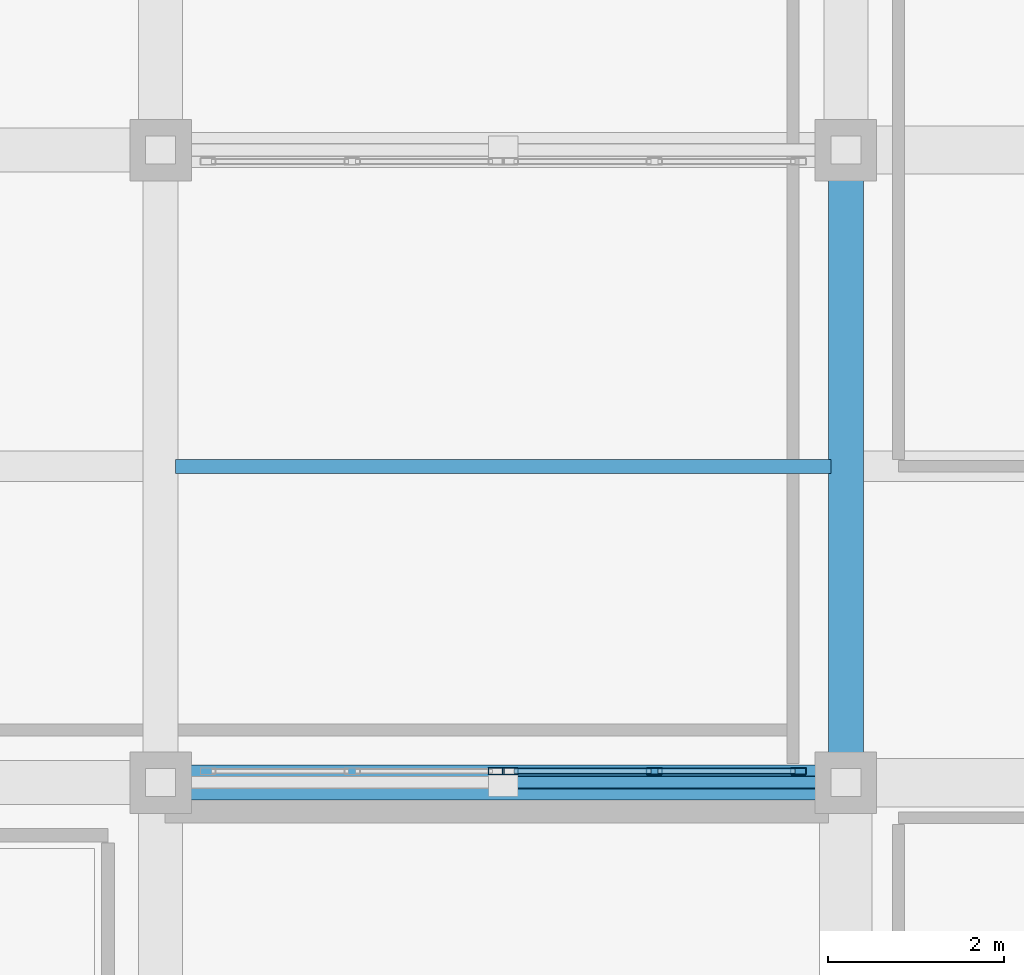
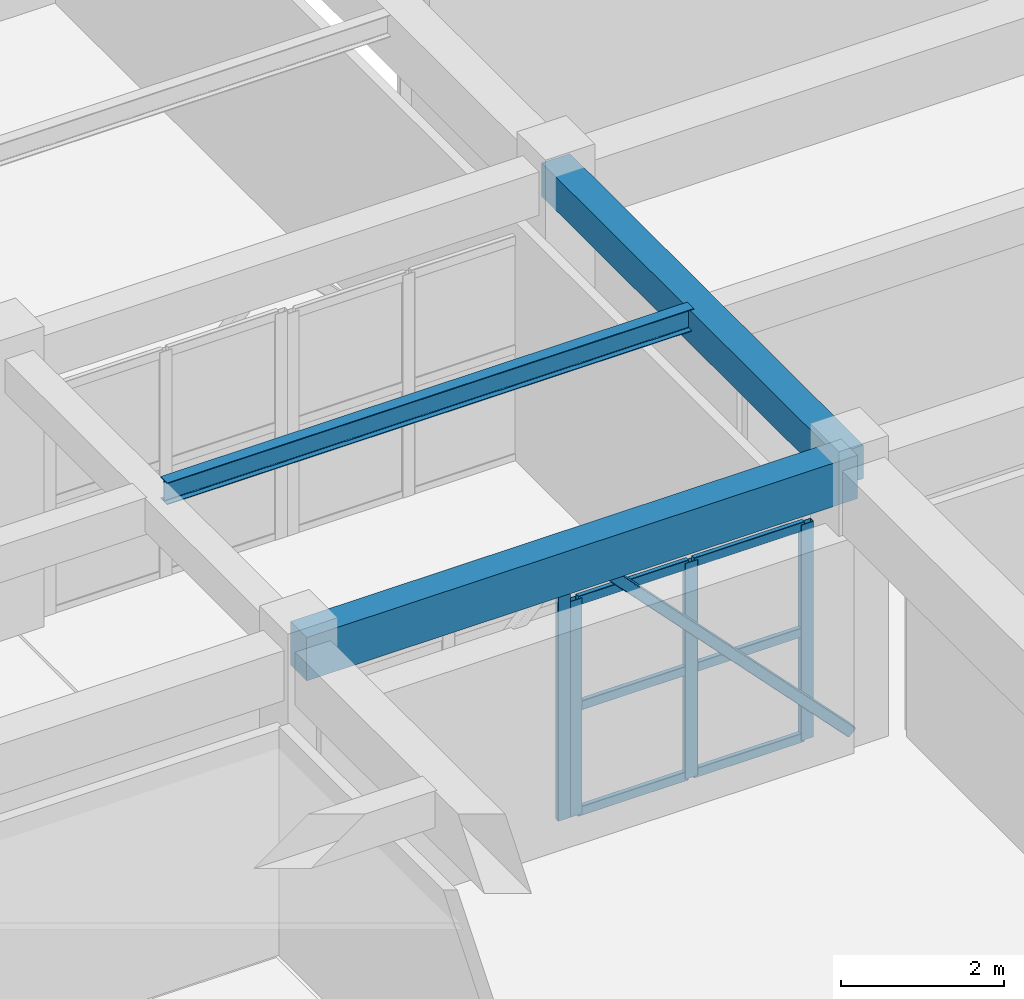
# One storey, part 25 of 92: 11 members, 3 beams, 2 elements without a shape of their own.
"""IFC4 building model written with IfcOpenShell, lengths in metres."""

from ifc_helpers import new_model, si_unit, direction, frame, origin, origin_2d, place, context, subcontext, project, spatial, rectangle, hollow_rectangle, i_section, extrude, material, layer, layer_set, material_profile, profile_set, type_object, element, aggregate, save


model = new_model("IFC4")

# Units and contexts
model_context = context("Model", 3, precision=1e-05, world=origin(), true_north=direction((0.0, 1.0)))
body_context = subcontext(model_context, "Body", "Model", "MODEL_VIEW")
ifc_project = project(units=[si_unit("LENGTHUNIT", "METRE"), si_unit("AREAUNIT", "SQUARE_METRE"), si_unit("VOLUMEUNIT", "CUBIC_METRE"), si_unit("PLANEANGLEUNIT", "RADIAN"), si_unit("MASSUNIT", "GRAM", prefix="KILO")], contexts=[model_context])

# Site, building, storey
site_placement = place(None, origin())
site = spatial("IfcSite", under=ifc_project, at=site_placement, CompositionType="ELEMENT")
building_placement = place(site_placement, origin())
building = spatial("IfcBuilding", under=site, at=building_placement, Name="Tarnavel Promenade Courthouse", CompositionType="ELEMENT")
storey_placement = place(building_placement, frame((0.0, 0.0, 5.39990234375)))
storey = spatial("IfcBuildingStorey", under=building, at=storey_placement, Name="L02", CompositionType="ELEMENT", Elevation=5.39990234375)

# Beams
ifc_material_1 = material(Name="Concrete C40/50", Category="concrete")
ifc_material_profile_1 = material_profile(ifc_material_1, rectangle(XDim=0.39990234375, YDim=0.5, at=origin_2d()), Name="RC 400x500")
ifc_profile_set_1 = profile_set([ifc_material_profile_1], Name="Concrete C40/50")
beam_type_1 = type_object("IfcBeamType", Name="Concrete C40/50 BM-RC-400x500 (RC 400x500)", PredefinedType="BEAM", material=ifc_profile_set_1)
beam_1_placement = place(storey_placement, frame((46.199951171875, 67.199951171875, 3.945068359375), z_axis=(0.0, 1.0, 0.0), x_axis=(-1.0, 0.0, 0.0)))
element("IfcBeam", 1, at=beam_1_placement, inside=storey, type_object=beam_type_1, Name="L02 Transverse Girder 1270", PredefinedType="BEAM", context=body_context, shape_type="SweptSolid", body=[
    extrude(rectangle(XDim=0.39990234375, YDim=0.5, at=origin_2d()), origin(), (0.0, 0.0, 1.0), 7.199951171875),
])
ifc_material_profile_2 = material_profile(ifc_material_1, rectangle(XDim=0.39990234375, YDim=0.64990234375, at=origin_2d()), Name="RC 400x650")
ifc_profile_set_2 = profile_set([ifc_material_profile_2], Name="Concrete C40/50")
beam_type_2 = type_object("IfcBeamType", Name="Concrete C40/50 BM-RC-400x650 (RC 400x650)", PredefinedType="BEAM", material=ifc_profile_set_2)
beam_2_placement = place(storey_placement, frame((38.39990234375, 67.199951171875, 3.91015625), z_axis=(1.0, 0.0, 0.0), x_axis=(0.0, 1.0, 0.0)))
element("IfcBeam", 2, at=beam_2_placement, inside=storey, type_object=beam_type_2, Name="L02 Primary Longitudinal Beam 1131", PredefinedType="BEAM", context=body_context, shape_type="SweptSolid", body=[
    extrude(rectangle(XDim=0.39990234375, YDim=0.64990234375, at=origin_2d()), origin(), (0.0, 0.0, 1.0), 7.800048828125),
])
ifc_material_2 = material(Name="Steel S355J2", Category="steel")
ifc_material_profile_3 = material_profile(ifc_material_2, i_section(OverallWidth=0.159912109375, OverallDepth=0.330078125, WebThickness=0.007568359375, FlangeThickness=0.011474609375, FilletRadius=0.01806640625, at=origin_2d()), Name="IPE 330")
ifc_profile_set_3 = profile_set([ifc_material_profile_3], Name="Steel S355J2")
beam_type_3 = type_object("IfcBeamType", Name="Steel S355J2 BM-ST-IPE330 (IPE 330)", PredefinedType="JOIST", material=ifc_profile_set_3)
beam_3_placement = place(storey_placement, frame((38.570068359375, 70.800048828125, 4.070068359375), z_axis=(1.0, 0.0, 0.0), x_axis=(0.0, 1.0, 0.0)))
element("IfcBeam", 3, at=beam_3_placement, inside=storey, type_object=beam_type_3, Name="L02 Secondary Floor Rib 1394", PredefinedType="JOIST", context=body_context, shape_type="SweptSolid", body=[
    extrude(i_section(OverallWidth=0.159912109375, OverallDepth=0.330078125, WebThickness=0.007568359375, FlangeThickness=0.011474609375, FilletRadius=0.01806640625, at=origin_2d()), origin(), (0.0, 0.0, 1.0), 7.4599609375),
])

# Member
ifc_material_profile_4 = material_profile(ifc_material_2, hollow_rectangle(XDim=0.14990234375, YDim=0.14990234375, WallThickness=0.010009765625, InnerFilletRadius=0.010009765625, OuterFilletRadius=0.02001953125, at=origin_2d()), Name="SHS 150x150x10")
ifc_profile_set_4 = profile_set([ifc_material_profile_4], Name="Steel S355J2")
member_type_1 = type_object("IfcMemberType", Name="Steel S355J2 MEM-BR-SHS150 (SHS 150x150x10)", PredefinedType="BRACE", material=ifc_profile_set_4)
member_1_placement = place(storey_placement, frame((42.300048828125, 67.199951171875, 4.06005859375), z_axis=(0.692739425183, 0.0, -0.721187970502), x_axis=(0.0, 1.0, 0.0)))
element("IfcMember", 4, at=member_1_placement, inside=storey, type_object=member_type_1, Name="L02 Link Bridge BRW Truss Diagonal 2", PredefinedType="BRACE", context=body_context, shape_type="SweptSolid", body=[
    extrude(hollow_rectangle(XDim=0.14990234375, YDim=0.14990234375, WallThickness=0.010009765625, InnerFilletRadius=0.010009765625, OuterFilletRadius=0.02001953125, at=origin_2d()), origin(), (0.0, 0.0, 1.0), 5.629638671875),
])

# Curtain wall, member
ifc_material_3 = material(Name="Thermally Broken Anodised Aluminium Curtain Wall System", Category="aluminium")
ifc_layer = layer(ifc_material_3, 0.18505859375)
ifc_layer_set = layer_set([ifc_layer], Name="Thermally Broken Anodised Aluminium Curtain Wall System")
curtain_wall_type = type_object("IfcCurtainWallType", Name="Thermally Broken Aluminium Triple-Glazed Curtain Wall CW-BRG", PredefinedType="NOTDEFINED", material=ifc_layer_set)
curtain_wall_1_placement = place(storey_placement, origin())
curtain_wall_1 = element("IfcCurtainWall", 5, at=curtain_wall_1_placement, inside=storey, type_object=curtain_wall_type, Name="L02 West Bridge Curtain Wall A 150", PredefinedType="NOTDEFINED")
ifc_material_4 = material(Name="Thermally Broken Anodised Aluminium Frame", Category="aluminium")
ifc_material_profile_5 = material_profile(ifc_material_4, hollow_rectangle(XDim=0.080078125, YDim=0.179931640625, WallThickness=0.0048828125, InnerFilletRadius=0.0048828125, OuterFilletRadius=0.010009765625, at=origin_2d()), Name="CWM 180x80x5")
ifc_profile_set_5 = profile_set([ifc_material_profile_5], Name="Thermally Broken Anodised Aluminium Frame")
member_type_2 = type_object("IfcMemberType", Name="Thermally Broken Anodised Aluminium CWM-155 (CWM 180x80x5)", PredefinedType="MULLION", material=ifc_profile_set_5)
member_2_placement = place(storey_placement, frame((42.219970703125, 67.330078125, 0.0), z_axis=(0.0, 0.0, 1.0), x_axis=(0.0, 1.0, 0.0)))
member_2 = element("IfcMember", 6, at=member_2_placement, type_object=member_type_2, Name="CW-05 mullion 3", PredefinedType="MULLION", context=body_context, shape_type="SweptSolid", body=[
    extrude(hollow_rectangle(XDim=0.080078125, YDim=0.179931640625, WallThickness=0.0048828125, InnerFilletRadius=0.0048828125, OuterFilletRadius=0.010009765625, at=origin_2d()), origin(), (0.0, 0.0, 1.0), 3.380126953125),
])
aggregate(curtain_wall_1, [member_2])

# Curtain wall, members
curtain_wall_2_placement = place(storey_placement, origin())
curtain_wall_2 = element("IfcCurtainWall", 7, at=curtain_wall_2_placement, inside=storey, type_object=curtain_wall_type, Name="L02 West Bridge Curtain Wall B 151", PredefinedType="NOTDEFINED")
member_3_placement = place(storey_placement, frame((42.3798828125, 67.330078125, 0.0), z_axis=(0.0, 0.0, 1.0), x_axis=(0.0, 1.0, 0.0)))
member_3 = element("IfcMember", 8, at=member_3_placement, type_object=member_type_2, Name="CW-05 mullion 1", PredefinedType="MULLION", context=body_context, shape_type="SweptSolid", body=[
    extrude(hollow_rectangle(XDim=0.080078125, YDim=0.179931640625, WallThickness=0.0048828125, InnerFilletRadius=0.0048828125, OuterFilletRadius=0.010009765625, at=origin_2d()), origin(), (0.0, 0.0, 1.0), 3.22998046875),
])
member_4_placement = place(storey_placement, frame((44.02001953125, 67.330078125, 0.0), z_axis=(0.0, 0.0, 1.0), x_axis=(0.0, 1.0, 0.0)))
member_4 = element("IfcMember", 9, at=member_4_placement, type_object=member_type_2, Name="CW-05 mullion 2", PredefinedType="MULLION", context=body_context, shape_type="SweptSolid", body=[
    extrude(hollow_rectangle(XDim=0.080078125, YDim=0.179931640625, WallThickness=0.0048828125, InnerFilletRadius=0.0048828125, OuterFilletRadius=0.010009765625, at=origin_2d()), origin(), (0.0, 0.0, 1.0), 3.22998046875),
])
member_5_placement = place(storey_placement, frame((45.659912109375, 67.330078125, 0.0), z_axis=(0.0, 0.0, 1.0), x_axis=(0.0, 1.0, 0.0)))
member_5 = element("IfcMember", 10, at=member_5_placement, type_object=member_type_2, Name="CW-05 mullion 3", PredefinedType="MULLION", context=body_context, shape_type="SweptSolid", body=[
    extrude(hollow_rectangle(XDim=0.080078125, YDim=0.179931640625, WallThickness=0.0048828125, InnerFilletRadius=0.0048828125, OuterFilletRadius=0.010009765625, at=origin_2d()), origin(), (0.0, 0.0, 1.0), 3.22998046875),
])
ifc_material_profile_6 = material_profile(ifc_material_4, hollow_rectangle(XDim=0.070068359375, YDim=0.139892578125, WallThickness=0.0048828125, InnerFilletRadius=0.0048828125, OuterFilletRadius=0.010009765625, at=origin_2d()), Name="CWT 140x70x5")
ifc_profile_set_6 = profile_set([ifc_material_profile_6], Name="Thermally Broken Anodised Aluminium Frame")
member_type_3 = type_object("IfcMemberType", Name="Thermally Broken Anodised Aluminium CWT-125 (CWT 140x70x5)", PredefinedType="USERDEFINED", material=ifc_profile_set_6)
member_6_placement = place(storey_placement, frame((42.419921875, 67.330078125, 0.03515625), z_axis=(1.0, 0.0, 0.0), x_axis=(0.0, 1.0, 0.0)))
member_6 = element("IfcMember", 11, at=member_6_placement, type_object=member_type_3, Name="CW-05 transom 1.1", ObjectType="TRANSOM", PredefinedType="USERDEFINED", context=body_context, shape_type="SweptSolid", body=[
    extrude(hollow_rectangle(XDim=0.070068359375, YDim=0.139892578125, WallThickness=0.0048828125, InnerFilletRadius=0.0048828125, OuterFilletRadius=0.010009765625, at=origin_2d()), origin(), (0.0, 0.0, 1.0), 1.56005859375),
])
member_7_placement = place(storey_placement, frame((42.419921875, 67.330078125, 1.614990234375), z_axis=(1.0, 0.0, 0.0), x_axis=(0.0, 1.0, 0.0)))
member_7 = element("IfcMember", 12, at=member_7_placement, type_object=member_type_3, Name="CW-05 transom 1.2", ObjectType="TRANSOM", PredefinedType="USERDEFINED", context=body_context, shape_type="SweptSolid", body=[
    extrude(hollow_rectangle(XDim=0.070068359375, YDim=0.139892578125, WallThickness=0.0048828125, InnerFilletRadius=0.0048828125, OuterFilletRadius=0.010009765625, at=origin_2d()), origin(), (0.0, 0.0, 1.0), 1.56005859375),
])
member_8_placement = place(storey_placement, frame((42.419921875, 67.330078125, 3.195068359375), z_axis=(1.0, 0.0, 0.0), x_axis=(0.0, 1.0, 0.0)))
member_8 = element("IfcMember", 13, at=member_8_placement, type_object=member_type_3, Name="CW-05 transom 1.3", ObjectType="TRANSOM", PredefinedType="USERDEFINED", context=body_context, shape_type="SweptSolid", body=[
    extrude(hollow_rectangle(XDim=0.070068359375, YDim=0.139892578125, WallThickness=0.0048828125, InnerFilletRadius=0.0048828125, OuterFilletRadius=0.010009765625, at=origin_2d()), origin(), (0.0, 0.0, 1.0), 1.56005859375),
])
member_9_placement = place(storey_placement, frame((44.06005859375, 67.330078125, 0.03515625), z_axis=(1.0, 0.0, 0.0), x_axis=(0.0, 1.0, 0.0)))
member_9 = element("IfcMember", 14, at=member_9_placement, type_object=member_type_3, Name="CW-05 transom 2.1", ObjectType="TRANSOM", PredefinedType="USERDEFINED", context=body_context, shape_type="SweptSolid", body=[
    extrude(hollow_rectangle(XDim=0.070068359375, YDim=0.139892578125, WallThickness=0.0048828125, InnerFilletRadius=0.0048828125, OuterFilletRadius=0.010009765625, at=origin_2d()), origin(), (0.0, 0.0, 1.0), 1.56005859375),
])
member_10_placement = place(storey_placement, frame((44.06005859375, 67.330078125, 1.614990234375), z_axis=(1.0, 0.0, 0.0), x_axis=(0.0, 1.0, 0.0)))
member_10 = element("IfcMember", 15, at=member_10_placement, type_object=member_type_3, Name="CW-05 transom 2.2", ObjectType="TRANSOM", PredefinedType="USERDEFINED", context=body_context, shape_type="SweptSolid", body=[
    extrude(hollow_rectangle(XDim=0.070068359375, YDim=0.139892578125, WallThickness=0.0048828125, InnerFilletRadius=0.0048828125, OuterFilletRadius=0.010009765625, at=origin_2d()), origin(), (0.0, 0.0, 1.0), 1.56005859375),
])
member_11_placement = place(storey_placement, frame((44.06005859375, 67.330078125, 3.195068359375), z_axis=(1.0, 0.0, 0.0), x_axis=(0.0, 1.0, 0.0)))
member_11 = element("IfcMember", 16, at=member_11_placement, type_object=member_type_3, Name="CW-05 transom 2.3", ObjectType="TRANSOM", PredefinedType="USERDEFINED", context=body_context, shape_type="SweptSolid", body=[
    extrude(hollow_rectangle(XDim=0.070068359375, YDim=0.139892578125, WallThickness=0.0048828125, InnerFilletRadius=0.0048828125, OuterFilletRadius=0.010009765625, at=origin_2d()), origin(), (0.0, 0.0, 1.0), 1.56005859375),
])
aggregate(curtain_wall_2, [member_3, member_4, member_5, member_6, member_7, member_8, member_9, member_10, member_11])

save(model, "model.ifc")
